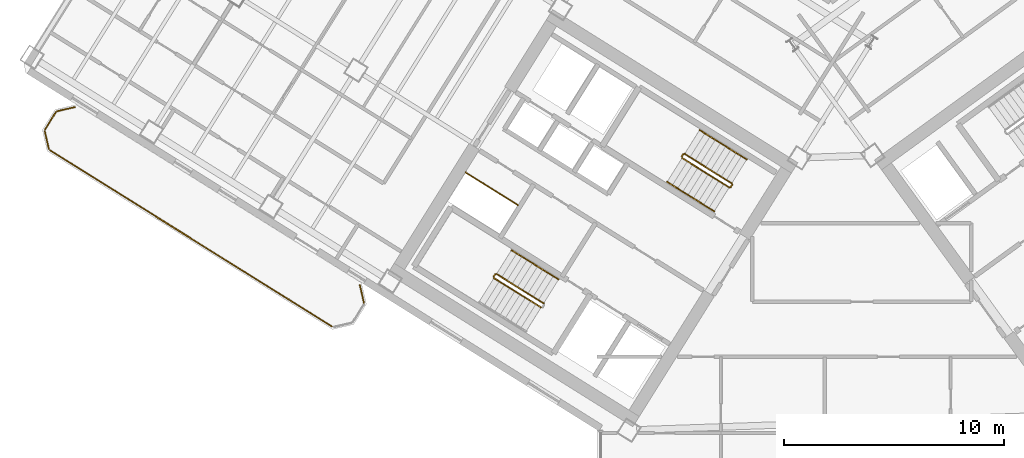
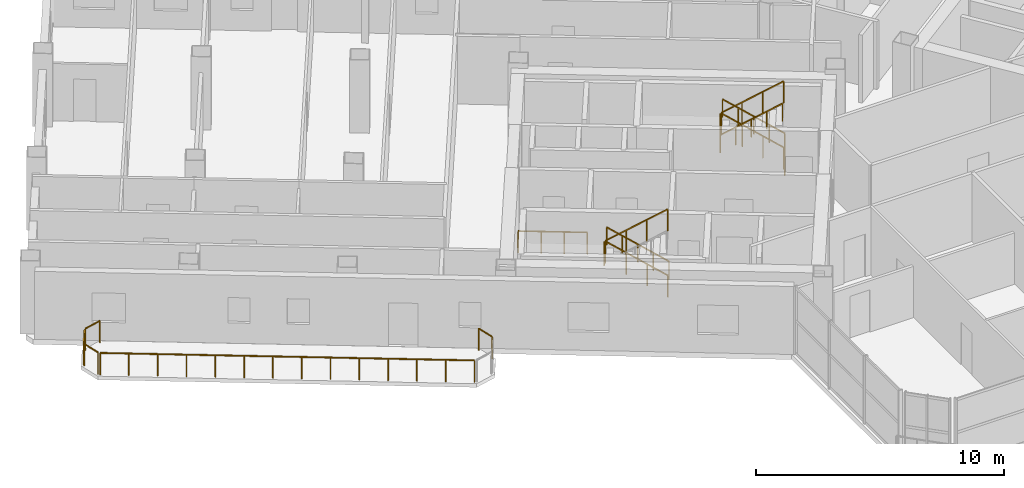
# One storey, part 18 of 20: 19 railings.
"""IFC4 building model written with IfcOpenShell, lengths in metres."""

from ifc_helpers import new_model, si_unit, direction, frame, origin, origin_2d, place, context, subcontext, project, spatial, rectangle, extrude, source, transform, mapped, material, type_object, element, save


model = new_model("IFC4")

# Units and contexts
model_context = context("Model", 3, precision=1e-05, world=origin(), true_north=direction((0.0, 1.0)))
body_context = subcontext(model_context, "Body", "Model", "MODEL_VIEW")
ifc_project = project(units=[si_unit("LENGTHUNIT", "METRE"), si_unit("AREAUNIT", "SQUARE_METRE"), si_unit("VOLUMEUNIT", "CUBIC_METRE"), si_unit("PLANEANGLEUNIT", "RADIAN"), si_unit("MASSUNIT", "GRAM", prefix="KILO")], contexts=[model_context])

# Site, building, storey
site_placement = place(None, origin())
site = spatial("IfcSite", under=ifc_project, at=site_placement, CompositionType="ELEMENT")
building_placement = place(site_placement, origin())
building = spatial("IfcBuilding", under=site, at=building_placement, Name="Tlacorven Tower", CompositionType="ELEMENT")
storey_placement = place(building_placement, frame((0.0, 0.0, 204.0)))
storey = spatial("IfcBuildingStorey", under=building, at=storey_placement, Name="L51", CompositionType="ELEMENT", Elevation=204.0)

# Railings
ifc_material = material(Name="Aluminium and painted steel balustrade", Category="steel")
railing_type_1 = type_object("IfcRailingType", Name="RL-GRD-1100", PredefinedType="GUARDRAIL", material=ifc_material)
shared_shape_1 = source(origin(), body_context, "Body", "SweptSolid", [
    extrude(rectangle(XDim=0.048095703125, YDim=0.048095703125, at=origin_2d()), frame((0.0, 0.0, 1.076171875), z_axis=(-0.848091358275, 0.529850024081, 0.0), x_axis=(-0.529850024081, -0.848091358275, 0.0)), (0.0, 0.0, 1.0), 2.800048828125),
    extrude(rectangle(XDim=0.0419921875, YDim=0.0419921875, at=origin_2d()), origin(), (0.0, 0.0, 1.0), 1.052001953125),
    extrude(rectangle(XDim=0.0419921875, YDim=0.0419921875, at=origin_2d()), frame((-0.79150390625, 0.49462890625, 0.0)), (0.0, 0.0, 1.0), 1.052001953125),
    extrude(rectangle(XDim=0.0419921875, YDim=0.0419921875, at=origin_2d()), frame((-1.583251953125, 0.989013671875, 0.0)), (0.0, 0.0, 1.0), 1.052001953125),
    extrude(rectangle(XDim=0.0419921875, YDim=0.0419921875, at=origin_2d()), frame((-2.374755859375, 1.483642578125, 0.0)), (0.0, 0.0, 1.0), 1.052001953125),
])
railing_1_placement = place(storey_placement, frame((27.9912109375, 22.32080078125, 0.0)))
element("IfcRailing", 1, at=railing_1_placement, inside=storey, type_object=railing_type_1, Name="L51 Electrical Riser W Shaft Guard 1", PredefinedType="GUARDRAIL", context=body_context, shape_type="MappedRepresentation", body=[
    mapped(shared_shape_1, transform((0.0, 0.0, 0.0), scale=1.0)),
])
railing_type_2 = type_object("IfcRailingType", Name="RL-BAL-1100", PredefinedType="BALUSTRADE", material=ifc_material)
shared_shape_2 = source(origin(), body_context, "Body", "SweptSolid", [
    extrude(rectangle(XDim=0.048095703125, YDim=0.048095703125, at=origin_2d()), frame((0.0, 0.0, 1.076171875), z_axis=(0.225058334816, -0.974345290916, 0.0), x_axis=(0.974345290916, 0.225058334816, 0.0)), (0.0, 0.0, 1.0), 0.80712890625),
    extrude(rectangle(XDim=0.0419921875, YDim=0.0419921875, at=origin_2d()), origin(), (0.0, 0.0, 1.0), 1.052001953125),
    extrude(rectangle(XDim=0.0419921875, YDim=0.0419921875, at=origin_2d()), frame((0.181640625, -0.786376953125, 0.0)), (0.0, 0.0, 1.0), 1.052001953125),
])
railing_2_placement = place(storey_placement, frame((20.809814453125, 18.671142578125, 0.0)))
element("IfcRailing", 2, at=railing_2_placement, inside=storey, type_object=railing_type_2, Name="BAL-L51-W-OUT Guard Railing 1", PredefinedType="BALUSTRADE", context=body_context, shape_type="MappedRepresentation", body=[
    mapped(shared_shape_2, transform((0.0, 0.0, 0.0), scale=1.0)),
])
shared_shape_3 = source(origin(), body_context, "Body", "SweptSolid", [
    extrude(rectangle(XDim=0.048095703125, YDim=0.048095703125, at=origin_2d()), frame((0.0, 0.0, 1.076171875), z_axis=(-0.225058334816, 0.974345290916, 0.0), x_axis=(-0.974345290916, -0.225058334816, 0.0)), (0.0, 0.0, 1.0), 0.80712890625),
    extrude(rectangle(XDim=0.0419921875, YDim=0.0419921875, at=origin_2d()), origin(), (0.0, 0.0, 1.0), 1.052001953125),
    extrude(rectangle(XDim=0.0419921875, YDim=0.0419921875, at=origin_2d()), frame((-0.181640625, 0.786376953125, 0.0)), (0.0, 0.0, 1.0), 1.052001953125),
])
railing_3_placement = place(storey_placement, frame((6.66650390625, 24.88623046875, 0.0)))
element("IfcRailing", 3, at=railing_3_placement, inside=storey, type_object=railing_type_2, Name="BAL-L51-W-OUT Guard Railing 5", PredefinedType="BALUSTRADE", context=body_context, shape_type="MappedRepresentation", body=[
    mapped(shared_shape_3, transform((0.0, 0.0, 0.0), scale=1.0)),
])
shared_shape_4 = source(origin(), body_context, "Body", "SweptSolid", [
    extrude(rectangle(XDim=0.048095703125, YDim=0.048095703125, at=origin_2d()), frame((0.0, 0.0, 1.076171875), z_axis=(0.974411586182, 0.224771129628, 0.0), x_axis=(-0.224771129628, 0.974411586182, 0.0)), (0.0, 0.0, 1.0), 0.80712890625),
    extrude(rectangle(XDim=0.0419921875, YDim=0.0419921875, at=origin_2d()), origin(), (0.0, 0.0, 1.0), 1.052001953125),
    extrude(rectangle(XDim=0.0419921875, YDim=0.0419921875, at=origin_2d()), frame((0.786376953125, 0.181396484375, 0.0)), (0.0, 0.0, 1.0), 1.052001953125),
])
railing_4_placement = place(storey_placement, frame((7.05859375, 26.591064453125, 0.0)))
element("IfcRailing", 4, at=railing_4_placement, inside=storey, type_object=railing_type_2, Name="BAL-L51-W-OUT Guard Railing 7", PredefinedType="BALUSTRADE", context=body_context, shape_type="MappedRepresentation", body=[
    mapped(shared_shape_4, transform((0.0, 0.0, 0.0), scale=1.0)),
])
shared_shape_5 = source(origin(), body_context, "Body", "SweptSolid", [
    extrude(rectangle(XDim=0.048095703125, YDim=0.048095703125, at=origin_2d()), frame((0.0, 0.0, 1.076171875), z_axis=(0.529998940003, 0.847998304005, 0.0), x_axis=(-0.847998304005, 0.529998940003, 0.0)), (0.0, 0.0, 1.0), 0.912109375),
    extrude(rectangle(XDim=0.0419921875, YDim=0.0419921875, at=origin_2d()), origin(), (0.0, 0.0, 1.0), 1.052001953125),
    extrude(rectangle(XDim=0.0419921875, YDim=0.0419921875, at=origin_2d()), frame((0.4833984375, 0.7734375, 0.0)), (0.0, 0.0, 1.0), 1.052001953125),
])
railing_5_placement = place(storey_placement, frame((6.5, 25.763916015625, 0.0)))
element("IfcRailing", 5, at=railing_5_placement, inside=storey, type_object=railing_type_2, Name="BAL-L51-W-OUT Guard Railing 6", PredefinedType="BALUSTRADE", context=body_context, shape_type="MappedRepresentation", body=[
    mapped(shared_shape_5, transform((0.0, 0.0, 0.0), scale=1.0)),
])
shared_shape_6 = source(origin(), body_context, "Body", "SweptSolid", [
    extrude(rectangle(XDim=0.048095703125, YDim=0.048095703125, at=origin_2d()), frame((0.0, 0.0, 1.076171875), z_axis=(-0.848051830527, 0.529913287944, 0.0), x_axis=(-0.529913287944, -0.848051830527, 0.0)), (0.0, 0.0, 1.0), 15.1171875),
    extrude(rectangle(XDim=0.0419921875, YDim=0.0419921875, at=origin_2d()), origin(), (0.0, 0.0, 1.0), 1.052001953125),
    extrude(rectangle(XDim=0.0419921875, YDim=0.0419921875, at=origin_2d()), frame((-0.986083984375, 0.6162109375, 0.0)), (0.0, 0.0, 1.0), 1.052001953125),
    extrude(rectangle(XDim=0.0419921875, YDim=0.0419921875, at=origin_2d()), frame((-1.972412109375, 1.232421875, 0.0)), (0.0, 0.0, 1.0), 1.052001953125),
    extrude(rectangle(XDim=0.0419921875, YDim=0.0419921875, at=origin_2d()), frame((-2.95849609375, 1.8486328125, 0.0)), (0.0, 0.0, 1.0), 1.052001953125),
    extrude(rectangle(XDim=0.0419921875, YDim=0.0419921875, at=origin_2d()), frame((-3.944580078125, 2.46484375, 0.0)), (0.0, 0.0, 1.0), 1.052001953125),
    extrude(rectangle(XDim=0.0419921875, YDim=0.0419921875, at=origin_2d()), frame((-4.930908203125, 3.0810546875, 0.0)), (0.0, 0.0, 1.0), 1.052001953125),
    extrude(rectangle(XDim=0.0419921875, YDim=0.0419921875, at=origin_2d()), frame((-5.9169921875, 3.697265625, 0.0)), (0.0, 0.0, 1.0), 1.052001953125),
    extrude(rectangle(XDim=0.0419921875, YDim=0.0419921875, at=origin_2d()), frame((-6.903076171875, 4.3134765625, 0.0)), (0.0, 0.0, 1.0), 1.052001953125),
    extrude(rectangle(XDim=0.0419921875, YDim=0.0419921875, at=origin_2d()), frame((-7.88916015625, 4.9296875, 0.0)), (0.0, 0.0, 1.0), 1.052001953125),
    extrude(rectangle(XDim=0.0419921875, YDim=0.0419921875, at=origin_2d()), frame((-8.87548828125, 5.5458984375, 0.0)), (0.0, 0.0, 1.0), 1.052001953125),
    extrude(rectangle(XDim=0.0419921875, YDim=0.0419921875, at=origin_2d()), frame((-9.861572265625, 6.162109375, 0.0)), (0.0, 0.0, 1.0), 1.052001953125),
    extrude(rectangle(XDim=0.0419921875, YDim=0.0419921875, at=origin_2d()), frame((-10.84765625, 6.7783203125, 0.0)), (0.0, 0.0, 1.0), 1.052001953125),
    extrude(rectangle(XDim=0.0419921875, YDim=0.0419921875, at=origin_2d()), frame((-11.833984375, 7.39453125, 0.0)), (0.0, 0.0, 1.0), 1.052001953125),
    extrude(rectangle(XDim=0.0419921875, YDim=0.0419921875, at=origin_2d()), frame((-12.820068359375, 8.0107421875, 0.0)), (0.0, 0.0, 1.0), 1.052001953125),
])
railing_6_placement = place(storey_placement, frame((19.5400390625, 16.80029296875, 0.0)))
element("IfcRailing", 6, at=railing_6_placement, inside=storey, type_object=railing_type_2, Name="BAL-L51-W-OUT Guard Railing 4", PredefinedType="BALUSTRADE", context=body_context, shape_type="MappedRepresentation", body=[
    mapped(shared_shape_6, transform((0.0, 0.0, 0.0), scale=1.0)),
])
shared_shape_7 = source(origin(), body_context, "Body", "SweptSolid", [
    extrude(rectangle(XDim=0.048095703125, YDim=0.048095703125, at=origin_2d()), frame((0.0, 0.0, 1.076171875), z_axis=(-0.713319727316, 0.445773895627, 0.540796265334), x_axis=(-0.529955395941, -0.84802551749, 0.0)), (0.0, 0.0, 1.0), 2.995849609375),
    extrude(rectangle(XDim=0.0419921875, YDim=0.0419921875, at=origin_2d()), origin(), (0.0, 0.0, 1.0), 1.052001953125),
    extrude(rectangle(XDim=0.0419921875, YDim=0.0419921875, at=origin_2d()), frame((-0.71240234375, 0.445068359375, 0.5400390625)), (0.0, 0.0, 1.0), 1.052001953125),
    extrude(rectangle(XDim=0.0419921875, YDim=0.0419921875, at=origin_2d()), frame((-1.424560546875, 0.890380859375, 1.080078125)), (0.0, 0.0, 1.0), 1.052001953125),
    extrude(rectangle(XDim=0.0419921875, YDim=0.0419921875, at=origin_2d()), frame((-2.136962890625, 1.33544921875, 1.6201171875)), (0.0, 0.0, 1.0), 1.052001953125),
])
for number, where, name in (
    (7, (29.16064453125, 17.851806640625, 0.179931640625), "L51 ST-W1 stair guard 1"),
    (8, (37.712158203125, 23.3095703125, 0.179931640625), "L51 ST-W2 stair guard 1"),
):
    element("IfcRailing", number, at=place(storey_placement, frame(where)), inside=storey, type_object=railing_type_1, Name=name, PredefinedType="GUARDRAIL", context=body_context, shape_type="MappedRepresentation", body=[
        mapped(shared_shape_7, transform((0.0, 0.0, 0.0), scale=1.0)),
    ])
shared_shape_8 = source(origin(), body_context, "Body", "SweptSolid", [
    extrude(rectangle(XDim=0.048095703125, YDim=0.048095703125, at=origin_2d()), frame((0.0, 0.0, 1.076171875), z_axis=(-0.530546985787, -0.847655529016, 0.0), x_axis=(0.847655529016, -0.530546985787, 0.0)), (0.0, 0.0, 1.0), 0.1201171875),
    extrude(rectangle(XDim=0.0419921875, YDim=0.0419921875, at=origin_2d()), origin(), (0.0, 0.0, 1.0), 1.052001953125),
    extrude(rectangle(XDim=0.0419921875, YDim=0.0419921875, at=origin_2d()), frame((-0.063720703125, -0.101806640625, 0.0)), (0.0, 0.0, 1.0), 1.052001953125),
])
for number, where, name in (
    (9, (26.954833984375, 19.17138671875, 1.800048828125), "L51 ST-W1 stair guard 2"),
    (10, (37.728271484375, 23.24072265625, 0.0), "L51 ST-W2 stair guard 4"),
):
    element("IfcRailing", number, at=place(storey_placement, frame(where)), inside=storey, type_object=railing_type_1, Name=name, PredefinedType="GUARDRAIL", context=body_context, shape_type="MappedRepresentation", body=[
        mapped(shared_shape_8, transform((0.0, 0.0, 0.0), scale=1.0)),
    ])
shared_shape_9 = source(origin(), body_context, "Body", "SweptSolid", [
    extrude(rectangle(XDim=0.048095703125, YDim=0.048095703125, at=origin_2d()), frame((0.0, 0.0, 1.076171875), z_axis=(0.713359751793, -0.4457479829, 0.540764828981), x_axis=(0.529911857636, 0.848052724267, 0.0)), (0.0, 0.0, 1.0), 2.99609375),
    extrude(rectangle(XDim=0.0419921875, YDim=0.0419921875, at=origin_2d()), origin(), (0.0, 0.0, 1.0), 1.052001953125),
    extrude(rectangle(XDim=0.0419921875, YDim=0.0419921875, at=origin_2d()), frame((0.71240234375, -0.445068359375, 0.5400390625)), (0.0, 0.0, 1.0), 1.052001953125),
    extrude(rectangle(XDim=0.0419921875, YDim=0.0419921875, at=origin_2d()), frame((1.4248046875, -0.890380859375, 1.080078125)), (0.0, 0.0, 1.0), 1.052001953125),
    extrude(rectangle(XDim=0.0419921875, YDim=0.0419921875, at=origin_2d()), frame((2.13720703125, -1.33544921875, 1.6201171875)), (0.0, 0.0, 1.0), 1.052001953125),
])
railing_7_placement = place(storey_placement, frame((26.906982421875, 19.000732421875, 1.97998046875)))
element("IfcRailing", 11, at=railing_7_placement, inside=storey, type_object=railing_type_1, Name="L51 ST-W1 stair guard 3", PredefinedType="GUARDRAIL", context=body_context, shape_type="MappedRepresentation", body=[
    mapped(shared_shape_9, transform((0.0, 0.0, 0.0), scale=1.0)),
])
railing_type_3 = type_object("IfcRailingType", Name="RL-HND-0900", PredefinedType="HANDRAIL", material=ifc_material)
shared_shape_10 = source(origin(), body_context, "Body", "SweptSolid", [
    extrude(rectangle(XDim=0.048095703125, YDim=0.048095703125, at=origin_2d()), frame((0.0, 0.0, 0.8759765625), z_axis=(-0.713359751793, 0.4457479829, 0.540764828981), x_axis=(-0.529911857636, -0.848052724267, 0.0)), (0.0, 0.0, 1.0), 1.498046875),
    extrude(rectangle(XDim=0.0419921875, YDim=0.0419921875, at=origin_2d()), origin(), (0.0, 0.0, 1.0), 0.851806640625),
    extrude(rectangle(XDim=0.0419921875, YDim=0.0419921875, at=origin_2d()), frame((-0.5341796875, 0.333984375, 0.405029296875)), (0.0, 0.0, 1.0), 0.851806640625),
    extrude(rectangle(XDim=0.0419921875, YDim=0.0419921875, at=origin_2d()), frame((-1.068603515625, 0.667724609375, 0.81005859375)), (0.0, 0.0, 1.0), 0.851806640625),
])
for number, where, name in (
    (12, (29.839111328125, 18.937255859375, 0.179931640625), "L51 ST-W1 stair handrail 1"),
    (13, (28.7705078125, 19.60498046875, 0.989990234375), "L51 ST-W1 stair handrail 2"),
    (14, (38.390625, 24.39501953125, 0.179931640625), "L51 ST-W2 stair handrail 1"),
    (15, (37.322021484375, 25.062744140625, 0.989990234375), "L51 ST-W2 stair handrail 2"),
):
    element("IfcRailing", number, at=place(storey_placement, frame(where)), inside=storey, type_object=railing_type_3, Name=name, PredefinedType="HANDRAIL", context=body_context, shape_type="MappedRepresentation", body=[
        mapped(shared_shape_10, transform((0.0, 0.0, 0.0), scale=1.0)),
    ])
shared_shape_11 = source(origin(), body_context, "Body", "SweptSolid", [
    extrude(rectangle(XDim=0.048095703125, YDim=0.048095703125, at=origin_2d()), frame((0.0, 0.0, 0.8759765625), z_axis=(0.713359751793, -0.4457479829, 0.540764828981), x_axis=(0.529911857636, 0.848052724267, 0.0)), (0.0, 0.0, 1.0), 1.498046875),
    extrude(rectangle(XDim=0.0419921875, YDim=0.0419921875, at=origin_2d()), origin(), (0.0, 0.0, 1.0), 0.851806640625),
    extrude(rectangle(XDim=0.0419921875, YDim=0.0419921875, at=origin_2d()), frame((0.5341796875, -0.333984375, 0.405029296875)), (0.0, 0.0, 1.0), 0.851806640625),
    extrude(rectangle(XDim=0.0419921875, YDim=0.0419921875, at=origin_2d()), frame((1.068603515625, -0.667724609375, 0.81005859375)), (0.0, 0.0, 1.0), 0.851806640625),
])
for number, where, name in (
    (16, (34.7802734375, 23.372802734375, 1.97998046875), "L51 ST-W2 stair handrail 3"),
    (17, (35.848876953125, 22.705078125, 2.7900390625), "L51 ST-W2 stair handrail 4"),
):
    element("IfcRailing", number, at=place(storey_placement, frame(where)), inside=storey, type_object=railing_type_3, Name=name, PredefinedType="HANDRAIL", context=body_context, shape_type="MappedRepresentation", body=[
        mapped(shared_shape_11, transform((0.0, 0.0, 0.0), scale=1.0)),
    ])
shared_shape_12 = source(origin(), body_context, "Body", "SweptSolid", [
    extrude(rectangle(XDim=0.048095703125, YDim=0.048095703125, at=origin_2d()), frame((0.0, 0.0, 1.076171875), z_axis=(-0.531462422766, -0.847081869236, 0.0), x_axis=(0.847081869236, -0.531462422766, 0.0)), (0.0, 0.0, 1.0), 0.119873046875),
    extrude(rectangle(XDim=0.0419921875, YDim=0.0419921875, at=origin_2d()), origin(), (0.0, 0.0, 1.0), 1.052001953125),
    extrude(rectangle(XDim=0.0419921875, YDim=0.0419921875, at=origin_2d()), frame((-0.063720703125, -0.1015625, 0.0)), (0.0, 0.0, 1.0), 1.052001953125),
])
railing_8_placement = place(storey_placement, frame((35.50634765625, 24.62890625, 1.800048828125)))
element("IfcRailing", 18, at=railing_8_placement, inside=storey, type_object=railing_type_1, Name="L51 ST-W2 stair guard 2", PredefinedType="GUARDRAIL", context=body_context, shape_type="MappedRepresentation", body=[
    mapped(shared_shape_12, transform((0.0, 0.0, 0.0), scale=1.0)),
])
shared_shape_13 = source(origin(), body_context, "Body", "SweptSolid", [
    extrude(rectangle(XDim=0.048095703125, YDim=0.048095703125, at=origin_2d()), frame((0.0, 0.0, 1.076171875), z_axis=(0.713385662783, -0.445682681033, 0.540784470897), x_axis=(0.52984217967, 0.848096259066, 0.0)), (0.0, 0.0, 1.0), 2.995849609375),
    extrude(rectangle(XDim=0.0419921875, YDim=0.0419921875, at=origin_2d()), origin(), (0.0, 0.0, 1.0), 1.052001953125),
    extrude(rectangle(XDim=0.0419921875, YDim=0.0419921875, at=origin_2d()), frame((0.71240234375, -0.445068359375, 0.5400390625)), (0.0, 0.0, 1.0), 1.052001953125),
    extrude(rectangle(XDim=0.0419921875, YDim=0.0419921875, at=origin_2d()), frame((1.4248046875, -0.89013671875, 1.080078125)), (0.0, 0.0, 1.0), 1.052001953125),
    extrude(rectangle(XDim=0.0419921875, YDim=0.0419921875, at=origin_2d()), frame((2.13720703125, -1.335205078125, 1.6201171875)), (0.0, 0.0, 1.0), 1.052001953125),
])
railing_9_placement = place(storey_placement, frame((35.45849609375, 24.458251953125, 1.97998046875)))
element("IfcRailing", 19, at=railing_9_placement, inside=storey, type_object=railing_type_1, Name="L51 ST-W2 stair guard 3", PredefinedType="GUARDRAIL", context=body_context, shape_type="MappedRepresentation", body=[
    mapped(shared_shape_13, transform((0.0, 0.0, 0.0), scale=1.0)),
])

save(model, "model.ifc")
